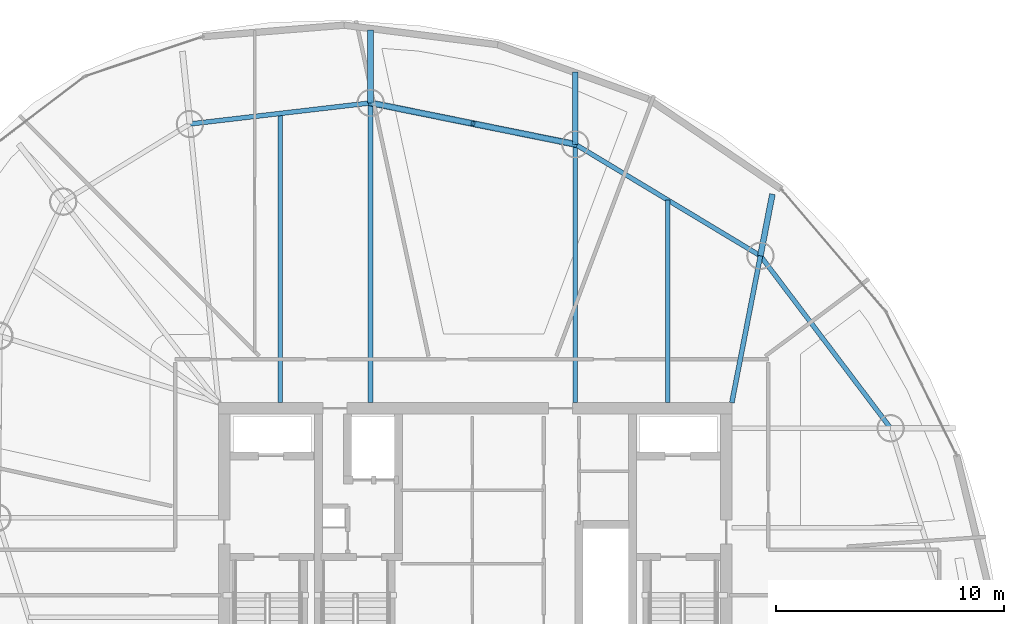
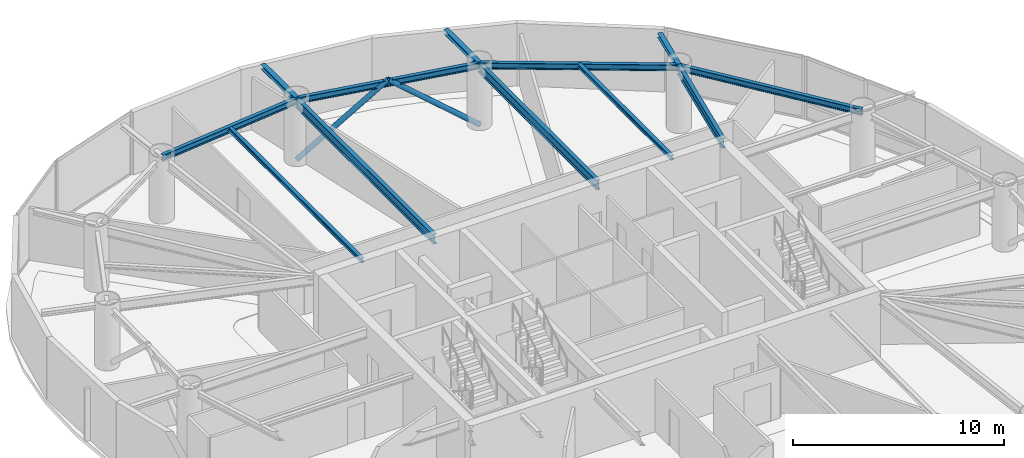
# One storey, part 11 of 19: 12 beams, 2 members.
"""IFC4 building model written with IfcOpenShell, lengths in metres."""

from ifc_helpers import new_model, si_unit, direction, frame, origin, origin_2d, place, context, subcontext, project, spatial, hollow_circle, i_section, extrude, material, material_profile, profile_set, type_object, element, save


model = new_model("IFC4")

# Units and contexts
model_context = context("Model", 3, precision=1e-05, world=origin(), true_north=direction((0.0, 1.0)))
body_context = subcontext(model_context, "Body", "Model", "MODEL_VIEW")
ifc_project = project(units=[si_unit("LENGTHUNIT", "METRE"), si_unit("AREAUNIT", "SQUARE_METRE"), si_unit("VOLUMEUNIT", "CUBIC_METRE"), si_unit("PLANEANGLEUNIT", "RADIAN"), si_unit("MASSUNIT", "GRAM", prefix="KILO")], contexts=[model_context])

# Site, building, storey
site_placement = place(None, origin())
site = spatial("IfcSite", under=ifc_project, at=site_placement, CompositionType="ELEMENT")
building_placement = place(site_placement, origin())
building = spatial("IfcBuilding", under=site, at=building_placement, Name="Bramvorn Convention Spire", CompositionType="ELEMENT")
storey_placement = place(building_placement, frame((0.0, 0.0, 198.14990234375)))
storey = spatial("IfcBuildingStorey", under=building, at=storey_placement, Name="L50", CompositionType="ELEMENT", Elevation=198.14990234375)

# Beams
ifc_material = material(Name="Steel CSA G40.21 Grade 350 (350W)", Category="steel")
ifc_material_profile_1 = material_profile(ifc_material, i_section(OverallWidth=0.201904296875, OverallDepth=0.2470703125, WebThickness=0.00732421875, FlangeThickness=0.010986328125, FilletRadius=0.011962890625, at=origin_2d()))
ifc_profile_set_1 = profile_set([ifc_material_profile_1], Name="Steel CSA G40.21 Grade 350 (350W) - W250X49")
beam_type_1 = type_object("IfcBeamType", Name="BM-W250X49", PredefinedType="JOIST", material=ifc_profile_set_1)
beam_1_placement = place(storey_placement, frame((46.445556640625, 33.449951171875, 3.49658203125), z_axis=(0.0, 1.0, 0.0), x_axis=(-1.0, 0.0, 0.0)))
element("IfcBeam", 1, at=beam_1_placement, inside=storey, type_object=beam_type_1, Name="L50 composite floor joist 05", PredefinedType="JOIST", context=body_context, shape_type="SweptSolid", body=[
    extrude(i_section(OverallWidth=0.201904296875, OverallDepth=0.2470703125, WebThickness=0.00732421875, FlangeThickness=0.010986328125, FilletRadius=0.011962890625, at=origin_2d()), origin(), (0.0, 0.0, 1.0), 8.878662109375),
])
beam_2_placement = place(storey_placement, frame((29.455810546875, 33.449951171875, 3.49658203125), z_axis=(0.0, 1.0, 0.0), x_axis=(-1.0, 0.0, 0.0)))
element("IfcBeam", 2, at=beam_2_placement, inside=storey, type_object=beam_type_1, Name="L50 composite floor joist 07", PredefinedType="JOIST", context=body_context, shape_type="SweptSolid", body=[
    extrude(i_section(OverallWidth=0.201904296875, OverallDepth=0.2470703125, WebThickness=0.00732421875, FlangeThickness=0.010986328125, FilletRadius=0.011962890625, at=origin_2d()), origin(), (0.0, 0.0, 1.0), 12.676025390625),
])
ifc_material_profile_2 = material_profile(ifc_material, i_section(OverallWidth=0.25390625, OverallDepth=0.2529296875, WebThickness=0.008544921875, FlangeThickness=0.01416015625, FilletRadius=0.011962890625, at=origin_2d()))
ifc_profile_set_2 = profile_set([ifc_material_profile_2], Name="Steel CSA G40.21 Grade 350 (350W) - W250X73")
beam_type_2 = type_object("IfcBeamType", Name="BM-W250X73", PredefinedType="BEAM", material=ifc_profile_set_2)
beam_3_placement = place(storey_placement, frame((50.501953125, 39.885009765625, 3.49365234375), z_axis=(0.191033372504, 0.981583542338, 0.0), x_axis=(-0.981583542338, 0.191033372504, 0.0)))
element("IfcBeam", 3, at=beam_3_placement, inside=storey, type_object=beam_type_2, Name="L50 slab-edge cantilever tip beam MC05", PredefinedType="BEAM", context=body_context, shape_type="SweptSolid", body=[
    extrude(i_section(OverallWidth=0.25390625, OverallDepth=0.2529296875, WebThickness=0.008544921875, FlangeThickness=0.01416015625, FilletRadius=0.011962890625, at=origin_2d()), origin(), (0.0, 0.0, 1.0), 2.754150390625),
])
beam_4_placement = place(storey_placement, frame((42.38916015625, 44.772216796875, 3.49365234375), z_axis=(0.0, 1.0, 0.0), x_axis=(-1.0, 0.0, 0.0)))
element("IfcBeam", 4, at=beam_4_placement, inside=storey, type_object=beam_type_2, Name="L50 slab-edge cantilever tip beam MC06", PredefinedType="BEAM", context=body_context, shape_type="SweptSolid", body=[
    extrude(i_section(OverallWidth=0.25390625, OverallDepth=0.2529296875, WebThickness=0.008544921875, FlangeThickness=0.01416015625, FilletRadius=0.011962890625, at=origin_2d()), origin(), (0.0, 0.0, 1.0), 3.173828125),
])
beam_5_placement = place(storey_placement, frame((33.416259765625, 46.58837890625, 3.49365234375), z_axis=(0.0, 1.0, 0.0), x_axis=(-1.0, 0.0, 0.0)))
element("IfcBeam", 5, at=beam_5_placement, inside=storey, type_object=beam_type_2, Name="L50 slab-edge cantilever tip beam MC07", PredefinedType="BEAM", context=body_context, shape_type="SweptSolid", body=[
    extrude(i_section(OverallWidth=0.25390625, OverallDepth=0.2529296875, WebThickness=0.008544921875, FlangeThickness=0.01416015625, FilletRadius=0.011962890625, at=origin_2d()), origin(), (0.0, 0.0, 1.0), 3.199951171875),
])
ifc_material_profile_3 = material_profile(ifc_material, i_section(OverallWidth=0.205078125, OverallDepth=0.35400390625, WebThickness=0.009521484375, FlangeThickness=0.016845703125, FilletRadius=0.014892578125, at=origin_2d()))
ifc_profile_set_3 = profile_set([ifc_material_profile_3], Name="Steel CSA G40.21 Grade 350 (350W) - W360X79")
beam_type_3 = type_object("IfcBeamType", Name="BM-W360X79", PredefinedType="JOIST", material=ifc_profile_set_3)
for number, where, z_axis, x_axis, name in (
    (6, (56.21044921875, 32.327392578125, 3.443115234375), (-0.602718581414, 0.797953827999, 0.0), (-0.797953827999, -0.602718581414, 0.0), "L50 mega-column ring beam 04"),
    (7, (50.501953125, 39.885009765625, 3.443115234375), (-0.856581795745, 0.516011266543, 0.0), (-0.516011266543, -0.856581795745, 0.0), "L50 mega-column ring beam 05"),
):
    element("IfcBeam", number, at=place(storey_placement, frame(where, z_axis=z_axis, x_axis=x_axis)), inside=storey, type_object=beam_type_3, Name=name, PredefinedType="JOIST", context=body_context, shape_type="SweptSolid", body=[
        extrude(i_section(OverallWidth=0.205078125, OverallDepth=0.35400390625, WebThickness=0.009521484375, FlangeThickness=0.016845703125, FilletRadius=0.014892578125, at=origin_2d()), origin(), (0.0, 0.0, 1.0), 9.47119140625),
    ])
beam_6_placement = place(storey_placement, frame((42.38916015625, 44.772216796875, 3.443115234375), z_axis=(-0.980124701676, 0.198382381187, 0.0), x_axis=(-0.198382381187, -0.980124701676, 0.0)))
element("IfcBeam", 8, at=beam_6_placement, inside=storey, type_object=beam_type_3, Name="L50 mega-column ring beam 06", PredefinedType="JOIST", context=body_context, shape_type="SweptSolid", body=[
    extrude(i_section(OverallWidth=0.205078125, OverallDepth=0.35400390625, WebThickness=0.009521484375, FlangeThickness=0.016845703125, FilletRadius=0.014892578125, at=origin_2d()), origin(), (0.0, 0.0, 1.0), 9.15478515625),
])
beam_7_placement = place(storey_placement, frame((33.416259765625, 46.58837890625, 3.443115234375), z_axis=(-0.993256148339, -0.115940604561, 0.0), x_axis=(0.115940604561, -0.993256148339, 0.0)))
element("IfcBeam", 9, at=beam_7_placement, inside=storey, type_object=beam_type_3, Name="L50 mega-column ring beam 07", PredefinedType="JOIST", context=body_context, shape_type="SweptSolid", body=[
    extrude(i_section(OverallWidth=0.205078125, OverallDepth=0.35400390625, WebThickness=0.009521484375, FlangeThickness=0.016845703125, FilletRadius=0.014892578125, at=origin_2d()), origin(), (0.0, 0.0, 1.0), 7.974365234375),
])
ifc_material_profile_4 = material_profile(ifc_material, i_section(OverallWidth=0.2119140625, OverallDepth=0.5439453125, WebThickness=0.01318359375, FlangeThickness=0.021240234375, FilletRadius=0.01904296875, at=origin_2d()))
ifc_profile_set_4 = profile_set([ifc_material_profile_4], Name="Steel CSA G40.21 Grade 350 (350W) - W530X123")
beam_type_4 = type_object("IfcBeamType", Name="BM-W530X123", PredefinedType="BEAM", material=ifc_profile_set_4)
beam_8_placement = place(storey_placement, frame((49.25, 33.449951171875, 3.34814453125), z_axis=(0.190971329886, 0.981595614885, 0.0), x_axis=(-0.981595614885, 0.190971329886, 0.0)))
element("IfcBeam", 10, at=beam_8_placement, inside=storey, type_object=beam_type_4, Name="L50 radial floor girder MC05", PredefinedType="BEAM", context=body_context, shape_type="SweptSolid", body=[
    extrude(i_section(OverallWidth=0.2119140625, OverallDepth=0.5439453125, WebThickness=0.01318359375, FlangeThickness=0.021240234375, FilletRadius=0.01904296875, at=origin_2d()), origin(), (0.0, 0.0, 1.0), 6.5556640625),
])
beam_9_placement = place(storey_placement, frame((42.38916015625, 33.449951171875, 3.34814453125), z_axis=(0.0, 1.0, 0.0), x_axis=(-1.0, 0.0, 0.0)))
element("IfcBeam", 11, at=beam_9_placement, inside=storey, type_object=beam_type_4, Name="L50 radial floor girder MC06", PredefinedType="BEAM", context=body_context, shape_type="SweptSolid", body=[
    extrude(i_section(OverallWidth=0.2119140625, OverallDepth=0.5439453125, WebThickness=0.01318359375, FlangeThickness=0.021240234375, FilletRadius=0.01904296875, at=origin_2d()), origin(), (0.0, 0.0, 1.0), 11.322265625),
])
beam_10_placement = place(storey_placement, frame((33.416259765625, 33.449951171875, 3.34814453125), z_axis=(0.0, 1.0, 0.0), x_axis=(-1.0, 0.0, 0.0)))
element("IfcBeam", 12, at=beam_10_placement, inside=storey, type_object=beam_type_4, Name="L50 radial floor girder MC07", PredefinedType="BEAM", context=body_context, shape_type="SweptSolid", body=[
    extrude(i_section(OverallWidth=0.2119140625, OverallDepth=0.5439453125, WebThickness=0.01318359375, FlangeThickness=0.021240234375, FilletRadius=0.01904296875, at=origin_2d()), origin(), (0.0, 0.0, 1.0), 13.138427734375),
])

# Members
ifc_material_profile_5 = material_profile(ifc_material, hollow_circle(Radius=0.136474609375, WallThickness=0.0126953125, at=origin_2d()))
ifc_profile_set_5 = profile_set([ifc_material_profile_5], Name="Steel CSA G40.21 Grade 350 (350W) - CHS273X13")
member_type = type_object("IfcMemberType", Name="MBR-CHS273X13", PredefinedType="BRACE", material=ifc_profile_set_5)
for number, where, z_axis, x_axis, name in (
    (13, (42.38916015625, 44.772216796875, 0.0), (-0.768774413927, 0.155578823823, 0.62030728681), (-0.198351578089, -0.98013093588, 0.0), "L50 perimeter Gothic lancet brace 6A"),
    (14, (33.416259765625, 46.58837890625, 0.0), (0.768752299453, -0.155624649215, 0.620323198536), (0.198413185373, 0.980118466243, 0.0), "L50 perimeter Gothic lancet brace 6B"),
):
    element("IfcMember", number, at=place(storey_placement, frame(where, z_axis=z_axis, x_axis=x_axis)), inside=storey, type_object=member_type, Name=name, PredefinedType="BRACE", context=body_context, shape_type="SweptSolid", body=[
        extrude(hollow_circle(Radius=0.136474609375, WallThickness=0.0126953125, at=origin_2d()), origin(), (0.0, 0.0, 1.0), 5.8359375),
    ])

save(model, "model.ifc")
